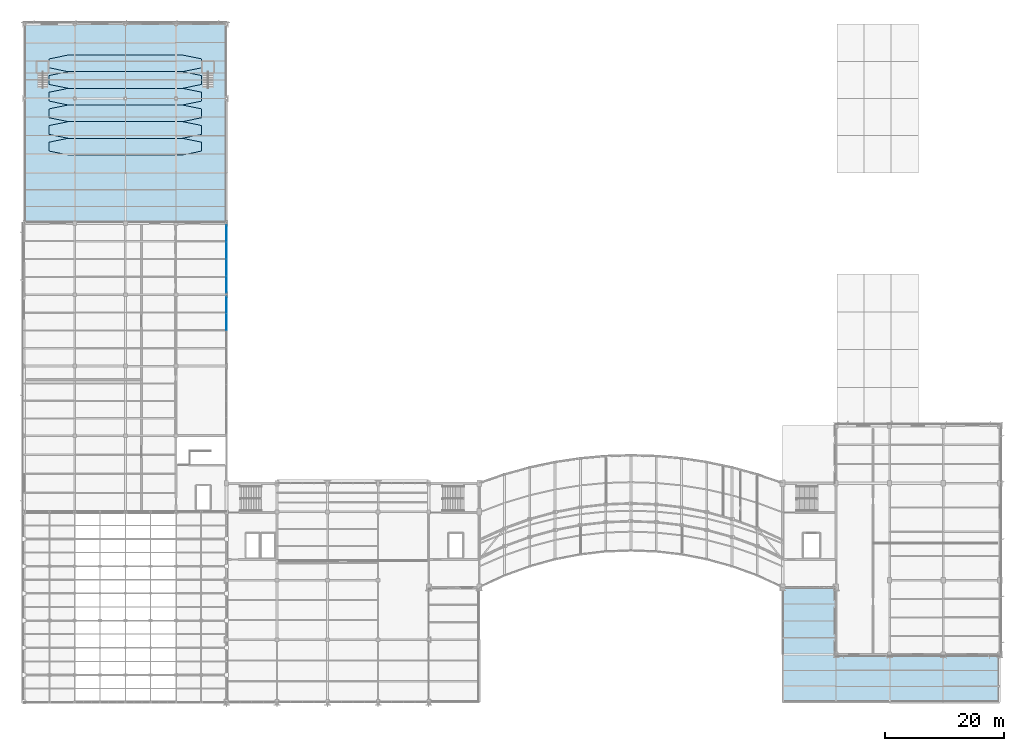
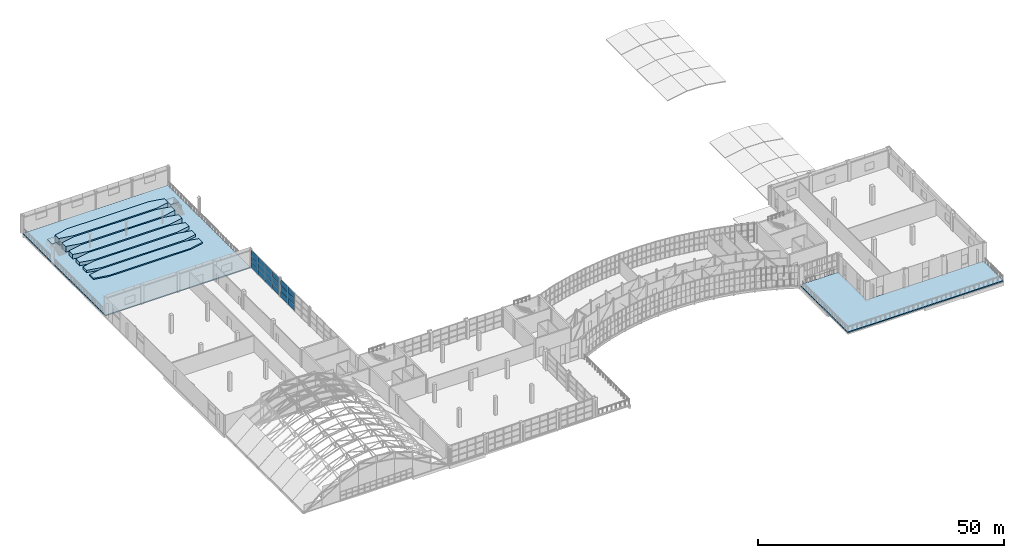
# One storey, part 62 of 86: 18 plates, 10 slabs, 4 elements without a shape of their own.
"""IFC4 building model written with IfcOpenShell, lengths in metres."""

from ifc_helpers import new_model, si_unit, direction, frame, origin, origin_2d, place, context, subcontext, project, spatial, polyline, rectangle, outline, extrude, material, layer, layer_set, type_object, element, aggregate, save


model = new_model("IFC4")

# Units and contexts
model_context = context("Model", 3, precision=1e-05, world=origin(), true_north=direction((0.0, 1.0)))
body_context = subcontext(model_context, "Body", "Model", "MODEL_VIEW")
ifc_project = project(units=[si_unit("LENGTHUNIT", "METRE"), si_unit("AREAUNIT", "SQUARE_METRE"), si_unit("VOLUMEUNIT", "CUBIC_METRE"), si_unit("PLANEANGLEUNIT", "RADIAN"), si_unit("MASSUNIT", "GRAM", prefix="KILO")], contexts=[model_context])

# Site, building, storey
site_placement = place(None, origin())
site = spatial("IfcSite", under=ifc_project, at=site_placement, CompositionType="ELEMENT")
building_placement = place(site_placement, origin())
building = spatial("IfcBuilding", under=site, at=building_placement, Name="Solvikara Media Centre", CompositionType="ELEMENT")
storey_placement = place(building_placement, frame((0.0, 0.0, 15.0)))
storey = spatial("IfcBuildingStorey", under=building, at=storey_placement, Name="L03", CompositionType="ELEMENT", Elevation=15.0)

# Curtain wall, plates
ifc_material_1 = material(Name="Anodised aluminium EN AW-6063", Category="aluminium")
curtain_wall_type = type_object("IfcCurtainWallType", Name="CW-07", PredefinedType="NOTDEFINED", material=ifc_material_1)
curtain_wall_1_placement = place(storey_placement, origin())
curtain_wall_1 = element("IfcCurtainWall", 1, at=curtain_wall_1_placement, inside=storey, type_object=curtain_wall_type, Name="CW-L03-V4E-S2", PredefinedType="NOTDEFINED")
ifc_material_2 = material(Name="Double-glazed low-E architectural glass", Category="glass")
ifc_layer_1 = layer(ifc_material_2, 0.035888671875)
ifc_layer_set_1 = layer_set([ifc_layer_1], Name="Double-glazed low-E architectural glass")
plate_type_1 = type_object("IfcPlateType", Name="PN-10", PredefinedType="CURTAIN_PANEL", material=ifc_layer_set_1)
plate_1_placement = place(storey_placement, frame((34.0, 63.927001953125, 0.034423828125), z_axis=(0.0, 0.0, 1.0), x_axis=(0.0, 1.0, 0.0)))
plate_1 = element("IfcPlate", 2, at=plate_1_placement, type_object=plate_type_1, Name="CW-L03-V4E-S2-P0200", PredefinedType="CURTAIN_PANEL", context=body_context, shape_type="SweptSolid", body=[
    extrude(rectangle(XDim=2.824951171875, YDim=0.035888671875, at=origin_2d()), origin(), (0.0, 0.0, 1.0), 1.45703125),
])
plate_2_placement = place(storey_placement, frame((34.0, 63.927001953125, 3.008544921875), z_axis=(0.0, 0.0, 1.0), x_axis=(0.0, 1.0, 0.0)))
plate_2 = element("IfcPlate", 3, at=plate_2_placement, type_object=plate_type_1, Name="CW-L03-V4E-S2-P0202", PredefinedType="CURTAIN_PANEL", context=body_context, shape_type="SweptSolid", body=[
    extrude(rectangle(XDim=2.824951171875, YDim=0.035888671875, at=origin_2d()), origin(), (0.0, 0.0, 1.0), 1.45703125),
])
plate_3_placement = place(storey_placement, frame((34.0, 66.781982421875, 1.521484375), z_axis=(0.0, 0.0, 1.0), x_axis=(0.0, 1.0, 0.0)))
plate_3 = element("IfcPlate", 4, at=plate_3_placement, type_object=plate_type_1, Name="CW-L03-V4E-S2-P0301", PredefinedType="CURTAIN_PANEL", context=body_context, shape_type="SweptSolid", body=[
    extrude(rectangle(XDim=2.824951171875, YDim=0.035888671875, at=origin_2d()), origin(), (0.0, 0.0, 1.0), 1.45703125),
])

curtain_wall_2_placement = place(storey_placement, origin())
curtain_wall_2 = element("IfcCurtainWall", 5, at=curtain_wall_2_placement, inside=storey, type_object=curtain_wall_type, Name="CW-L03-V4E-S3", PredefinedType="NOTDEFINED")
plate_4_placement = place(storey_placement, frame((34.0, 70.217041015625, 0.034423828125), z_axis=(0.0, 0.0, 1.0), x_axis=(0.0, 1.0, 0.0)))
plate_4 = element("IfcPlate", 6, at=plate_4_placement, type_object=plate_type_1, Name="CW-L03-V4E-S3-P0000", PredefinedType="CURTAIN_PANEL", context=body_context, shape_type="SweptSolid", body=[
    extrude(rectangle(XDim=2.824951171875, YDim=0.035888671875, at=origin_2d()), origin(), (0.0, 0.0, 1.0), 1.45703125),
])
plate_5_placement = place(storey_placement, frame((34.0, 70.217041015625, 3.008544921875), z_axis=(0.0, 0.0, 1.0), x_axis=(0.0, 1.0, 0.0)))
plate_5 = element("IfcPlate", 7, at=plate_5_placement, type_object=plate_type_1, Name="CW-L03-V4E-S3-P0002", PredefinedType="CURTAIN_PANEL", context=body_context, shape_type="SweptSolid", body=[
    extrude(rectangle(XDim=2.824951171875, YDim=0.035888671875, at=origin_2d()), origin(), (0.0, 0.0, 1.0), 1.45703125),
])
plate_6_placement = place(storey_placement, frame((34.0, 73.072021484375, 1.521484375), z_axis=(0.0, 0.0, 1.0), x_axis=(0.0, 1.0, 0.0)))
plate_6 = element("IfcPlate", 8, at=plate_6_placement, type_object=plate_type_1, Name="CW-L03-V4E-S3-P0101", PredefinedType="CURTAIN_PANEL", context=body_context, shape_type="SweptSolid", body=[
    extrude(rectangle(XDim=2.824951171875, YDim=0.035888671875, at=origin_2d()), origin(), (0.0, 0.0, 1.0), 1.45703125),
])
plate_7_placement = place(storey_placement, frame((34.0, 75.927001953125, 0.034423828125), z_axis=(0.0, 0.0, 1.0), x_axis=(0.0, 1.0, 0.0)))
plate_7 = element("IfcPlate", 9, at=plate_7_placement, type_object=plate_type_1, Name="CW-L03-V4E-S3-P0200", PredefinedType="CURTAIN_PANEL", context=body_context, shape_type="SweptSolid", body=[
    extrude(rectangle(XDim=2.824951171875, YDim=0.035888671875, at=origin_2d()), origin(), (0.0, 0.0, 1.0), 1.45703125),
])
plate_8_placement = place(storey_placement, frame((34.0, 75.927001953125, 3.008544921875), z_axis=(0.0, 0.0, 1.0), x_axis=(0.0, 1.0, 0.0)))
plate_8 = element("IfcPlate", 10, at=plate_8_placement, type_object=plate_type_1, Name="CW-L03-V4E-S3-P0202", PredefinedType="CURTAIN_PANEL", context=body_context, shape_type="SweptSolid", body=[
    extrude(rectangle(XDim=2.824951171875, YDim=0.035888671875, at=origin_2d()), origin(), (0.0, 0.0, 1.0), 1.45703125),
])
plate_9_placement = place(storey_placement, frame((34.0, 78.781982421875, 1.521484375), z_axis=(0.0, 0.0, 1.0), x_axis=(0.0, 1.0, 0.0)))
plate_9 = element("IfcPlate", 11, at=plate_9_placement, type_object=plate_type_1, Name="CW-L03-V4E-S3-P0301", PredefinedType="CURTAIN_PANEL", context=body_context, shape_type="SweptSolid", body=[
    extrude(rectangle(XDim=2.824951171875, YDim=0.035888671875, at=origin_2d()), origin(), (0.0, 0.0, 1.0), 1.45703125),
])

# Plate
ifc_material_3 = material(Name="Insulated silver-pearl glass spandrel panel", Category="glass")
ifc_layer_2 = layer(ifc_material_3, 0.054931640625)
ifc_layer_set_2 = layer_set([ifc_layer_2], Name="Insulated silver-pearl glass spandrel panel")
plate_type_2 = type_object("IfcPlateType", Name="PN-11", PredefinedType="CURTAIN_PANEL", material=ifc_layer_set_2)
plate_10_placement = place(storey_placement, frame((34.0, 63.927001953125, 1.521484375), z_axis=(0.0, 0.0, 1.0), x_axis=(0.0, 1.0, 0.0)))
plate_10 = element("IfcPlate", 12, at=plate_10_placement, type_object=plate_type_2, Name="CW-L03-V4E-S2-P0201", PredefinedType="CURTAIN_PANEL", context=body_context, shape_type="SweptSolid", body=[
    extrude(rectangle(XDim=2.824951171875, YDim=0.054931640625, at=origin_2d()), origin(), (0.0, 0.0, 1.0), 1.45703125),
])

plate_11_placement = place(storey_placement, frame((34.0, 66.781982421875, 0.034423828125), z_axis=(0.0, 0.0, 1.0), x_axis=(0.0, 1.0, 0.0)))
plate_11 = element("IfcPlate", 13, at=plate_11_placement, type_object=plate_type_2, Name="CW-L03-V4E-S2-P0300", PredefinedType="CURTAIN_PANEL", context=body_context, shape_type="SweptSolid", body=[
    extrude(rectangle(XDim=2.824951171875, YDim=0.054931640625, at=origin_2d()), origin(), (0.0, 0.0, 1.0), 1.45703125),
])

plate_12_placement = place(storey_placement, frame((34.0, 66.781982421875, 3.008544921875), z_axis=(0.0, 0.0, 1.0), x_axis=(0.0, 1.0, 0.0)))
plate_12 = element("IfcPlate", 14, at=plate_12_placement, type_object=plate_type_2, Name="CW-L03-V4E-S2-P0302", PredefinedType="CURTAIN_PANEL", context=body_context, shape_type="SweptSolid", body=[
    extrude(rectangle(XDim=2.824951171875, YDim=0.054931640625, at=origin_2d()), origin(), (0.0, 0.0, 1.0), 1.45703125),
])

aggregate(curtain_wall_1, [plate_1, plate_10, plate_2, plate_11, plate_3, plate_12])

plate_13_placement = place(storey_placement, frame((34.0, 70.217041015625, 1.521484375), z_axis=(0.0, 0.0, 1.0), x_axis=(0.0, 1.0, 0.0)))
plate_13 = element("IfcPlate", 15, at=plate_13_placement, type_object=plate_type_2, Name="CW-L03-V4E-S3-P0001", PredefinedType="CURTAIN_PANEL", context=body_context, shape_type="SweptSolid", body=[
    extrude(rectangle(XDim=2.824951171875, YDim=0.054931640625, at=origin_2d()), origin(), (0.0, 0.0, 1.0), 1.45703125),
])

plate_14_placement = place(storey_placement, frame((34.0, 73.072021484375, 0.034423828125), z_axis=(0.0, 0.0, 1.0), x_axis=(0.0, 1.0, 0.0)))
plate_14 = element("IfcPlate", 16, at=plate_14_placement, type_object=plate_type_2, Name="CW-L03-V4E-S3-P0100", PredefinedType="CURTAIN_PANEL", context=body_context, shape_type="SweptSolid", body=[
    extrude(rectangle(XDim=2.824951171875, YDim=0.054931640625, at=origin_2d()), origin(), (0.0, 0.0, 1.0), 1.45703125),
])

plate_15_placement = place(storey_placement, frame((34.0, 73.072021484375, 3.008544921875), z_axis=(0.0, 0.0, 1.0), x_axis=(0.0, 1.0, 0.0)))
plate_15 = element("IfcPlate", 17, at=plate_15_placement, type_object=plate_type_2, Name="CW-L03-V4E-S3-P0102", PredefinedType="CURTAIN_PANEL", context=body_context, shape_type="SweptSolid", body=[
    extrude(rectangle(XDim=2.824951171875, YDim=0.054931640625, at=origin_2d()), origin(), (0.0, 0.0, 1.0), 1.45703125),
])

plate_16_placement = place(storey_placement, frame((34.0, 75.927001953125, 1.521484375), z_axis=(0.0, 0.0, 1.0), x_axis=(0.0, 1.0, 0.0)))
plate_16 = element("IfcPlate", 18, at=plate_16_placement, type_object=plate_type_2, Name="CW-L03-V4E-S3-P0201", PredefinedType="CURTAIN_PANEL", context=body_context, shape_type="SweptSolid", body=[
    extrude(rectangle(XDim=2.824951171875, YDim=0.054931640625, at=origin_2d()), origin(), (0.0, 0.0, 1.0), 1.45703125),
])

plate_17_placement = place(storey_placement, frame((34.0, 78.781982421875, 0.034423828125), z_axis=(0.0, 0.0, 1.0), x_axis=(0.0, 1.0, 0.0)))
plate_17 = element("IfcPlate", 19, at=plate_17_placement, type_object=plate_type_2, Name="CW-L03-V4E-S3-P0300", PredefinedType="CURTAIN_PANEL", context=body_context, shape_type="SweptSolid", body=[
    extrude(rectangle(XDim=2.824951171875, YDim=0.054931640625, at=origin_2d()), origin(), (0.0, 0.0, 1.0), 1.45703125),
])

plate_18_placement = place(storey_placement, frame((34.0, 78.781982421875, 3.008544921875), z_axis=(0.0, 0.0, 1.0), x_axis=(0.0, 1.0, 0.0)))
plate_18 = element("IfcPlate", 20, at=plate_18_placement, type_object=plate_type_2, Name="CW-L03-V4E-S3-P0302", PredefinedType="CURTAIN_PANEL", context=body_context, shape_type="SweptSolid", body=[
    extrude(rectangle(XDim=2.824951171875, YDim=0.054931640625, at=origin_2d()), origin(), (0.0, 0.0, 1.0), 1.45703125),
])

aggregate(curtain_wall_2, [plate_4, plate_13, plate_5, plate_14, plate_6, plate_15, plate_7, plate_16, plate_8, plate_17, plate_9, plate_18])

# Slabs
ifc_material_4 = material(Name="Concrete fc' 35 MPa (C35/45)", Category="concrete")
ifc_layer_3 = layer(ifc_material_4, 0.27001953125)
ifc_layer_set_3 = layer_set([ifc_layer_3], Name="Concrete fc' 35 MPa (C35/45)")
slab_type_1 = type_object("IfcSlabType", Name="ST-11", PredefinedType="FLOOR", material=ifc_layer_set_3)
slab_1_placement = place(storey_placement, frame((0.0, 0.0, -0.27001953125)))
element("IfcSlab", 21, at=slab_1_placement, inside=storey, type_object=slab_type_1, Name="TER-L03-V5S", PredefinedType="FLOOR", context=body_context, shape_type="SweptSolid", body=[
    extrude(outline(polyline([(127.5, 0.0), (164.0, 0.0), (164.0, 8.0), (136.5, 8.0), (136.5, 19.323974609375), (127.5, 19.323974609375), (127.5, 0.0)])), origin(), (0.0, 0.0, 1.0), 0.27001953125),
])
slab_2_placement = place(storey_placement, frame((0.0, 0.0, -0.27001953125)))
element("IfcSlab", 22, at=slab_2_placement, inside=storey, type_object=slab_type_1, Name="TER-L03-V3C", PredefinedType="FLOOR", context=body_context, shape_type="SweptSolid", body=[
    extrude(outline(polyline([(0.0, 80.5), (34.0, 80.5), (34.0, 114.0), (0.0, 114.0), (0.0, 80.5)])), origin(), (0.0, 0.0, 1.0), 0.27001953125),
])

# Stair, slab
stair_type = type_object("IfcStairType", Name="SR-07", PredefinedType="STRAIGHT_RUN_STAIR", material=ifc_material_4)
stair_1_placement = place(storey_placement, origin())
stair_1 = element("IfcStair", 23, at=stair_1_placement, inside=storey, type_object=stair_type, Name="ST-AMPH-W", PredefinedType="STRAIGHT_RUN_STAIR")
ifc_layer_4 = layer(ifc_material_4, 0.2900390625)
ifc_layer_set_4 = layer_set([ifc_layer_4], Name="Concrete fc' 35 MPa (C35/45)")
slab_type_2 = type_object("IfcSlabType", Name="ST-16", PredefinedType="LANDING", material=ifc_layer_set_4)
slab_3_placement = place(storey_placement, frame((0.0, 0.0, 1.31005859375)))
slab_3 = element("IfcSlab", 24, at=slab_3_placement, type_object=slab_type_2, Name="ST-AMPH-W-ARR", PredefinedType="LANDING", context=body_context, shape_type="SweptSolid", body=[
    extrude(outline(polyline([(2.10009765625, 105.800048828125), (4.10009765625, 105.800048828125), (4.10009765625, 107.800048828125), (2.10009765625, 107.800048828125), (2.10009765625, 105.800048828125)])), origin(), (0.0, 0.0, 1.0), 0.2900390625),
])
aggregate(stair_1, [slab_3])

stair_2_placement = place(storey_placement, origin())
stair_2 = element("IfcStair", 25, at=stair_2_placement, inside=storey, type_object=stair_type, Name="ST-AMPH-E", PredefinedType="STRAIGHT_RUN_STAIR")
slab_4_placement = place(storey_placement, frame((0.0, 0.0, 1.31005859375)))
slab_4 = element("IfcSlab", 26, at=slab_4_placement, type_object=slab_type_2, Name="ST-AMPH-E-ARR", PredefinedType="LANDING", context=body_context, shape_type="SweptSolid", body=[
    extrude(outline(polyline([(29.89990234375, 105.800048828125), (31.89990234375, 105.800048828125), (31.89990234375, 107.800048828125), (29.89990234375, 107.800048828125), (29.89990234375, 105.800048828125)])), origin(), (0.0, 0.0, 1.0), 0.2900390625),
])
aggregate(stair_2, [slab_4])

# Slabs
ifc_layer_5 = layer(ifc_material_4, 0.280029296875)
ifc_layer_set_5 = layer_set([ifc_layer_5], Name="Concrete fc' 35 MPa (C35/45)")
slab_type_3 = type_object("IfcSlabType", Name="ST-18", PredefinedType="USERDEFINED", material=ifc_layer_set_5)
slab_5_placement = place(storey_placement, origin())
element("IfcSlab", 27, at=slab_5_placement, inside=storey, type_object=slab_type_3, Name="TIER-AMPH-01", ObjectType="SEATING TIER", PredefinedType="USERDEFINED", context=body_context, shape_type="SweptSolid", body=[
    extrude(outline(polyline([(7.39990234375, 92.0), (26.60009765625, 92.0), (29.800048828125, 92.64990234375), (29.800048828125, 94.14990234375), (26.60009765625, 94.800048828125), (7.39990234375, 94.800048828125), (4.199951171875, 94.14990234375), (4.199951171875, 92.64990234375), (7.39990234375, 92.0)])), origin(), (0.0, 0.0, 1.0), 0.280029296875),
])
ifc_layer_6 = layer(ifc_material_4, 0.56005859375)
ifc_layer_set_6 = layer_set([ifc_layer_6], Name="Concrete fc' 35 MPa (C35/45)")
slab_type_4 = type_object("IfcSlabType", Name="ST-22", PredefinedType="USERDEFINED", material=ifc_layer_set_6)
slab_6_placement = place(storey_placement, origin())
element("IfcSlab", 28, at=slab_6_placement, inside=storey, type_object=slab_type_4, Name="TIER-AMPH-02", ObjectType="SEATING TIER", PredefinedType="USERDEFINED", context=body_context, shape_type="SweptSolid", body=[
    extrude(outline(polyline([(7.39990234375, 94.800048828125), (26.60009765625, 94.800048828125), (29.800048828125, 95.449951171875), (29.800048828125, 96.949951171875), (26.60009765625, 97.60009765625), (7.39990234375, 97.60009765625), (4.199951171875, 96.949951171875), (4.199951171875, 95.449951171875), (7.39990234375, 94.800048828125)])), origin(), (0.0, 0.0, 1.0), 0.56005859375),
])
ifc_layer_7 = layer(ifc_material_4, 0.840087890625)
ifc_layer_set_7 = layer_set([ifc_layer_7], Name="Concrete fc' 35 MPa (C35/45)")
slab_type_5 = type_object("IfcSlabType", Name="ST-23", PredefinedType="USERDEFINED", material=ifc_layer_set_7)
slab_7_placement = place(storey_placement, origin())
element("IfcSlab", 29, at=slab_7_placement, inside=storey, type_object=slab_type_5, Name="TIER-AMPH-03", ObjectType="SEATING TIER", PredefinedType="USERDEFINED", context=body_context, shape_type="SweptSolid", body=[
    extrude(outline(polyline([(7.39990234375, 97.60009765625), (26.60009765625, 97.60009765625), (29.800048828125, 98.25), (29.800048828125, 99.75), (26.60009765625, 100.39990234375), (7.39990234375, 100.39990234375), (4.199951171875, 99.75), (4.199951171875, 98.25), (7.39990234375, 97.60009765625)])), origin(), (0.0, 0.0, 1.0), 0.840087890625),
])
ifc_layer_8 = layer(ifc_material_4, 1.1201171875)
ifc_layer_set_8 = layer_set([ifc_layer_8], Name="Concrete fc' 35 MPa (C35/45)")
slab_type_6 = type_object("IfcSlabType", Name="ST-24", PredefinedType="USERDEFINED", material=ifc_layer_set_8)
slab_8_placement = place(storey_placement, origin())
element("IfcSlab", 30, at=slab_8_placement, inside=storey, type_object=slab_type_6, Name="TIER-AMPH-04", ObjectType="SEATING TIER", PredefinedType="USERDEFINED", context=body_context, shape_type="SweptSolid", body=[
    extrude(outline(polyline([(7.39990234375, 100.39990234375), (26.60009765625, 100.39990234375), (29.800048828125, 101.050048828125), (29.800048828125, 102.550048828125), (26.60009765625, 103.199951171875), (7.39990234375, 103.199951171875), (4.199951171875, 102.550048828125), (4.199951171875, 101.050048828125), (7.39990234375, 100.39990234375)])), origin(), (0.0, 0.0, 1.0), 1.1201171875),
])
ifc_layer_9 = layer(ifc_material_4, 1.39990234375)
ifc_layer_set_9 = layer_set([ifc_layer_9], Name="Concrete fc' 35 MPa (C35/45)")
slab_type_7 = type_object("IfcSlabType", Name="ST-25", PredefinedType="USERDEFINED", material=ifc_layer_set_9)
slab_9_placement = place(storey_placement, origin())
element("IfcSlab", 31, at=slab_9_placement, inside=storey, type_object=slab_type_7, Name="TIER-AMPH-05", ObjectType="SEATING TIER", PredefinedType="USERDEFINED", context=body_context, shape_type="SweptSolid", body=[
    extrude(outline(polyline([(7.39990234375, 103.199951171875), (26.60009765625, 103.199951171875), (29.800048828125, 103.85009765625), (29.800048828125, 105.35009765625), (26.60009765625, 106.0), (7.39990234375, 106.0), (4.199951171875, 105.35009765625), (4.199951171875, 103.85009765625), (7.39990234375, 103.199951171875)])), origin(), (0.0, 0.0, 1.0), 1.39990234375),
])
ifc_layer_10 = layer(ifc_material_4, 1.679931640625)
ifc_layer_set_10 = layer_set([ifc_layer_10], Name="Concrete fc' 35 MPa (C35/45)")
slab_type_8 = type_object("IfcSlabType", Name="ST-26", PredefinedType="USERDEFINED", material=ifc_layer_set_10)
slab_10_placement = place(storey_placement, origin())
element("IfcSlab", 32, at=slab_10_placement, inside=storey, type_object=slab_type_8, Name="TIER-AMPH-06", ObjectType="SEATING TIER", PredefinedType="USERDEFINED", context=body_context, shape_type="SweptSolid", body=[
    extrude(outline(polyline([(7.39990234375, 106.0), (26.60009765625, 106.0), (29.800048828125, 106.64990234375), (29.800048828125, 108.14990234375), (26.60009765625, 108.800048828125), (7.39990234375, 108.800048828125), (4.199951171875, 108.14990234375), (4.199951171875, 106.64990234375), (7.39990234375, 106.0)])), origin(), (0.0, 0.0, 1.0), 1.679931640625),
])

save(model, "model.ifc")
